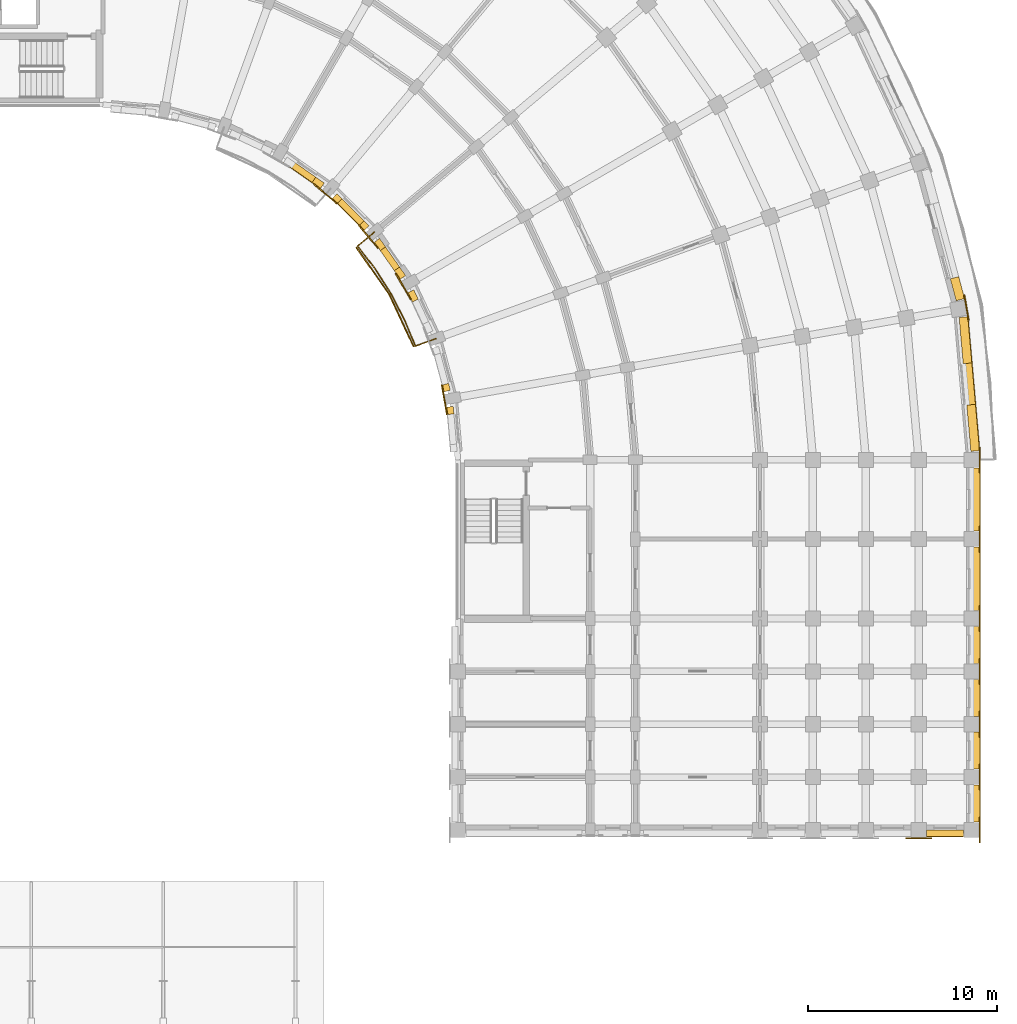
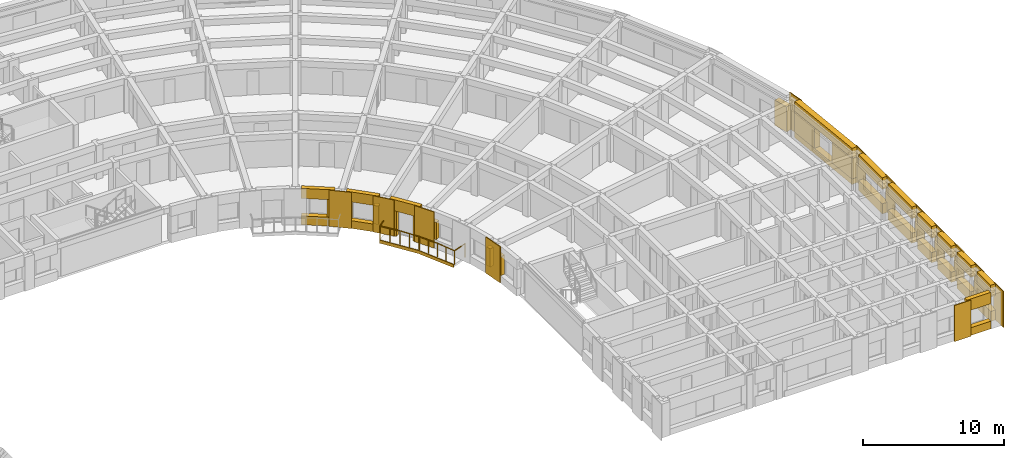
# One storey, part 72 of 76: 46 coverings, 1 railing.
"""IFC4 building model written with IfcOpenShell, lengths in metres."""

import ifcopenshell
import ifcopenshell.guid

model = None  # the IFC model being written
_history = None  # IfcOwnerHistory: only IFC2X3 demands one
_inside = {}  # id of a spatial element -> (the spatial element, [elements in it])
_under = {}  # id of a project, library or spatial element -> (it, [spatial elements below it])
_declared = {}  # id of a project -> (the project, [libraries it declares])
_typed = {}  # id of a type object -> (the type object, [elements of that type])
_made_of = {}  # id of a material, layer set ... -> (it, [elements and type objects made of it])


def new_model(schema):
    """Start an empty IFC model of exactly this schema.

    Asked for "IFC4X3", IfcOpenShell would pick the latest addendum, in which some entities
    have other attributes; the version numbers below select the first issue.
    IFC2X3 requires an IfcOwnerHistory on every rooted entity: one is made here for all.
    """
    global model, _history
    if schema == "IFC4X3":
        model = ifcopenshell.file(schema_version=(4, 3, 0, 0))
    else:
        model = ifcopenshell.file(schema=schema)
    _inside.clear()
    _under.clear()
    _declared.clear()
    _typed.clear()
    _made_of.clear()
    _history = None
    if model.schema == "IFC2X3":
        org = make("IfcOrganization", Name="unknown")
        user = make(
            "IfcPersonAndOrganization",
            ThePerson=make("IfcPerson", FamilyName="unknown"),
            TheOrganization=org,
        )
        app = make(
            "IfcApplication",
            ApplicationDeveloper=org,
            Version="unknown",
            ApplicationFullName="unknown",
            ApplicationIdentifier="unknown",
        )
        _history = make(
            "IfcOwnerHistory",
            OwningUser=user,
            OwningApplication=app,
            ChangeAction="ADDED",
            CreationDate=0,
        )
    return model


def make(cls, **values):
    """One entity of the class cls with the attributes given. An attribute that is None is left unset."""
    return model.create_entity(
        cls, **{name: value for name, value in values.items() if value is not None}
    )


def rooted(cls, **values):
    """An entity with a GlobalId (a new one), such as an element, a storey or a relation."""
    return make(cls, GlobalId=ifcopenshell.guid.new(), OwnerHistory=_history, **values)


def si_unit(unit_type, name, prefix=None):
    """IfcSIUnit, for example si_unit("LENGTHUNIT", "METRE", prefix="MILLI")."""
    return make("IfcSIUnit", UnitType=unit_type, Prefix=prefix, Name=name)


def assignment(units):
    """IfcUnitAssignment: the units of a project."""
    return None if units is None else make("IfcUnitAssignment", Units=units)


def point(xyz):
    """IfcCartesianPoint."""
    return None if xyz is None else make("IfcCartesianPoint", Coordinates=xyz)


def direction(xyz):
    """IfcDirection."""
    return None if xyz is None else make("IfcDirection", DirectionRatios=xyz)


def frame(location, z_axis=None, x_axis=None):
    """IfcAxis2Placement3D, a coordinate frame: its origin and axes. An axis left out is left unset."""
    return make(
        "IfcAxis2Placement3D",
        Location=point(location),
        Axis=direction(z_axis),
        RefDirection=direction(x_axis),
    )


def frame_2d(location, x_axis=None):
    """IfcAxis2Placement2D, a coordinate frame in the plane: its origin and x axis."""
    return make(
        "IfcAxis2Placement2D", Location=point(location), RefDirection=direction(x_axis)
    )


def origin():
    """The frame at (0, 0, 0) with its axes left unset."""
    return frame((0.0, 0.0, 0.0))


def origin_2d():
    """The frame at (0, 0) in the plane with its x axis left unset."""
    return frame_2d((0.0, 0.0))


def place(relative_to, where):
    """IfcLocalPlacement: puts the frame where relative to a parent placement (None: the world)."""
    return make(
        "IfcLocalPlacement", PlacementRelTo=relative_to, RelativePlacement=where
    )


def context(
    kind, dimensions, precision=None, world=None, true_north=None, identifier=None
):
    """IfcGeometricRepresentationContext, for example the 3D "Model" context."""
    return make(
        "IfcGeometricRepresentationContext",
        ContextIdentifier=identifier,
        ContextType=kind,
        CoordinateSpaceDimension=dimensions,
        Precision=precision,
        WorldCoordinateSystem=world,
        TrueNorth=true_north,
    )


def subcontext(parent, identifier, kind, view, scale=None):
    """IfcGeometricRepresentationSubContext, for example "Body" below "Model"."""
    return make(
        "IfcGeometricRepresentationSubContext",
        ContextIdentifier=identifier,
        ContextType=kind,
        ParentContext=parent,
        TargetScale=scale,
        TargetView=view,
    )


def project(units=None, contexts=None):
    """IfcProject with its units and contexts."""
    return rooted(
        "IfcProject",
        Name="project",
        RepresentationContexts=contexts,
        UnitsInContext=assignment(units),
    )


def spatial(cls, under=None, at=None, **own):
    """A site, building, storey or space (cls), placed at a placement, below another one or the project."""
    s = rooted(cls, ObjectPlacement=at, **own)
    if under is not None:
        _under.setdefault(under.id(), (under, []))[1].append(s)
    return s


def polyline(points):
    """IfcPolyline through the points."""
    return make("IfcPolyline", Points=[point(p) for p in points])


def profile(cls, at=None, kind="AREA", **sizes):
    """A parametric profile (cls). Its sizes go by their IFC names, for example OverallWidth=200.0."""
    return make(cls, ProfileType=kind, Position=at, **sizes)


def circle(**sizes):
    """IfcCircleProfileDef."""
    return profile("IfcCircleProfileDef", **sizes)


def outline(outer, holes=None, kind="AREA"):
    """IfcArbitraryClosedProfileDef: a profile drawn as a closed curve; with holes, ...WithVoids."""
    if holes is None:
        return make("IfcArbitraryClosedProfileDef", ProfileType=kind, OuterCurve=outer)
    return make(
        "IfcArbitraryProfileDefWithVoids",
        ProfileType=kind,
        OuterCurve=outer,
        InnerCurves=holes,
    )


def extrude(swept, where, along, depth):
    """IfcExtrudedAreaSolid: the profile swept, set in the frame where, extruded along a direction by depth."""
    return make(
        "IfcExtrudedAreaSolid",
        SweptArea=swept,
        Position=where,
        ExtrudedDirection=direction(along),
        Depth=depth,
    )


def shape(context_of_items, identifier, shape_type, items):
    """IfcShapeRepresentation: the items that make up one representation, for example the "Body"."""
    return make(
        "IfcShapeRepresentation",
        ContextOfItems=context_of_items,
        RepresentationIdentifier=identifier,
        RepresentationType=shape_type,
        Items=items,
    )


def material(Name=None, Category=None):
    """IfcMaterial."""
    return make("IfcMaterial", Name=Name, Category=Category)


def layer(
    of_material, thickness, ventilated=None, Name=None, Category=None, Priority=None
):
    """IfcMaterialLayer: one layer of a wall or slab, of a material (None: an air gap)."""
    return make(
        "IfcMaterialLayer",
        Material=of_material,
        LayerThickness=thickness,
        IsVentilated=ventilated,
        Name=Name,
        Category=Category,
        Priority=Priority,
    )


def layer_set(layers, Name=None):
    """IfcMaterialLayerSet."""
    return make("IfcMaterialLayerSet", MaterialLayers=layers, LayerSetName=Name)


def made_of(thing, what):
    """Note that an element or type object is made of a material, layer set ...; save() writes the relation."""
    if what is not None:
        _made_of.setdefault(what.id(), (what, []))[1].append(thing)
    return thing


def type_object(cls, material=None, **own):
    """A type object (cls), such as IfcWallType, which elements share."""
    return made_of(rooted(cls, **own), material)


def element(
    cls,
    number,
    at=None,
    inside=None,
    cuts=None,
    type_object=None,
    material=None,
    context=None,
    identifier="Body",
    shape_type=None,
    held_by="IfcProductDefinitionShape",
    body=None,
    shapes=None,
    **own,
):
    """One element of the class cls, such as IfcWall. Its Tag is "e" and its number.

    at: its placement. inside: the storey or other place that contains it. cuts: it is an
    opening in that element (IfcRelVoidsElement). A single representation is given by context,
    identifier, shape_type and body (its items); several are given by shapes. held_by: the class
    of the entity that holds the representations. save() writes the other relations.
    """
    e = rooted(cls, Tag="e%d" % number, ObjectPlacement=at, **own)
    if body is not None:
        shapes = [shape(context, identifier, shape_type, body)]
    if shapes is not None:
        e.Representation = make(held_by, Representations=shapes)
    if inside is not None:
        _inside.setdefault(inside.id(), (inside, []))[1].append(e)
    if cuts is not None:
        rooted(
            "IfcRelVoidsElement", RelatingBuildingElement=cuts, RelatedOpeningElement=e
        )
    if type_object is not None:
        _typed.setdefault(type_object.id(), (type_object, []))[1].append(e)
    return made_of(e, material)


def aggregate(whole, parts):
    """IfcRelAggregates: a whole, such as a stair, and the parts it consists of."""
    return rooted("IfcRelAggregates", RelatingObject=whole, RelatedObjects=parts)


def save(model, path):
    """Write the relations noted so far, then the file.

    IfcRelAggregates (storeys below a building ...), IfcRelContainedInSpatialStructure (elements
    in a storey), IfcRelDefinesByType, IfcRelAssociatesMaterial and IfcRelDeclares: one each for
    every whole, place, type object, material and project.
    """
    for whole, parts in _under.values():
        aggregate(whole, parts)
    for where, things in _inside.values():
        rooted(
            "IfcRelContainedInSpatialStructure",
            RelatedElements=things,
            RelatingStructure=where,
        )
    for kind, things in _typed.values():
        rooted("IfcRelDefinesByType", RelatedObjects=things, RelatingType=kind)
    for what, things in _made_of.values():
        rooted("IfcRelAssociatesMaterial", RelatedObjects=things, RelatingMaterial=what)
    for by, libraries in _declared.values():
        rooted("IfcRelDeclares", RelatingContext=by, RelatedDefinitions=libraries)
    model.write(path)


model = new_model("IFC4")

# Units and contexts
model_context = context("Model", 3, precision=1e-05, world=origin(), true_north=direction((0.0, 1.0)))
body_context = subcontext(model_context, "Body", "Model", "MODEL_VIEW")
ifc_project = project(units=[si_unit("LENGTHUNIT", "METRE"), si_unit("AREAUNIT", "SQUARE_METRE"), si_unit("VOLUMEUNIT", "CUBIC_METRE"), si_unit("PLANEANGLEUNIT", "RADIAN"), si_unit("MASSUNIT", "GRAM", prefix="KILO")], contexts=[model_context])

# Site, building, storey
site_placement = place(None, origin())
site = spatial("IfcSite", under=ifc_project, at=site_placement, CompositionType="ELEMENT")
building_placement = place(site_placement, origin())
building = spatial("IfcBuilding", under=site, at=building_placement, Name="Kiranvali Square Residences", CompositionType="ELEMENT")
storey_placement = place(building_placement, frame((0.0, 0.0, 8.699951171875)))
storey = spatial("IfcBuildingStorey", under=building, at=storey_placement, Name="L02", CompositionType="ELEMENT", Elevation=8.699951171875)

# Coverings
ifc_material_1 = material(Name="Carved Porbandar limestone classical entablature and cornice", Category="masonry")
ifc_layer_1 = layer(ifc_material_1, 0.06201171875)
ifc_layer_set_1 = layer_set([ifc_layer_1], Name="Carved Porbandar limestone classical entablature and cornice")
covering_type_1 = type_object("IfcCoveringType", Name="COV-CLAD-GBAL", PredefinedType="CLADDING", material=ifc_layer_set_1)
covering_1_placement = place(storey_placement, frame((0.0, 0.0, -0.219970703125)))
element("IfcCovering", 1, at=covering_1_placement, inside=storey, type_object=covering_type_1, Name="Block B L02 garden balcony limestone fascia 2", PredefinedType="CLADDING", context=body_context, shape_type="SweptSolid", body=[
    extrude(outline(polyline([(133.1904296875, 99.035888671875), (134.938232421875, 96.5400390625), (136.225830078125, 93.778564453125), (136.289794921875, 93.8017578125), (134.9970703125, 96.573974609375), (133.242431640625, 99.07958984375), (133.1904296875, 99.035888671875)])), origin(), (0.0, 0.0, 1.0), 0.27001953125),
])
ifc_material_2 = material(Name="Honed Porbandar limestone ashlar facade cladding", Category="masonry")
ifc_layer_2 = layer(ifc_material_2, 0.3798828125)
ifc_layer_set_2 = layer_set([ifc_layer_2], Name="Honed Porbandar limestone ashlar facade cladding")
covering_type_2 = type_object("IfcCoveringType", Name="COV-CLAD-JAMB", PredefinedType="CLADDING", material=ifc_layer_set_2)
covering_2_placement = place(storey_placement, origin())
element("IfcCovering", 2, at=covering_2_placement, inside=storey, type_object=covering_type_2, Name="L02 deep limestone window jamb reveal B-L02-CRV-07.R", PredefinedType="CLADDING", context=body_context, shape_type="SweptSolid", body=[
    extrude(outline(polyline([(164.67431640625, 97.382568359375), (164.985107421875, 96.22265625), (165.428955078125, 96.341552734375), (165.1181640625, 97.50146484375), (164.67431640625, 97.382568359375)])), origin(), (0.0, 0.0, 1.0), 2.179931640625),
])
covering_3_placement = place(storey_placement, frame((0.0, 0.0, 0.47216796875)))
element("IfcCovering", 3, at=covering_3_placement, inside=storey, type_object=covering_type_2, Name="L02 deep limestone window jamb reveal B-L02-CRV-08.L", PredefinedType="CLADDING", context=body_context, shape_type="SweptSolid", body=[
    extrude(outline(polyline([(165.140869140625, 95.339599609375), (165.355224609375, 92.8896484375), (165.81298828125, 92.929931640625), (165.5986328125, 95.379638671875), (165.140869140625, 95.339599609375)])), origin(), (0.0, 0.0, 1.0), 1.7998046875),
])
covering_4_placement = place(storey_placement, frame((0.0, 0.0, 0.47216796875)))
element("IfcCovering", 4, at=covering_4_placement, inside=storey, type_object=covering_type_2, Name="L02 deep limestone window jamb reveal B-L02-CRV-08.R", PredefinedType="CLADDING", context=body_context, shape_type="SweptSolid", body=[
    extrude(outline(polyline([(165.546875, 90.6982421875), (165.76123046875, 88.248291015625), (166.218994140625, 88.288330078125), (166.004638671875, 90.73828125), (165.546875, 90.6982421875)])), origin(), (0.0, 0.0, 1.0), 1.7998046875),
])
covering_5_placement = place(storey_placement, frame((0.0, 0.0, 0.77197265625)))
element("IfcCovering", 5, at=covering_5_placement, inside=storey, type_object=covering_type_2, Name="L02 deep limestone window jamb reveal B-L02-GDN-03.R", PredefinedType="CLADDING", context=body_context, shape_type="SweptSolid", body=[
    extrude(outline(polyline([(130.879638671875, 102.490234375), (131.328857421875, 102.175537109375), (131.523681640625, 102.45361328125), (131.074462890625, 102.768310546875), (130.879638671875, 102.490234375)])), origin(), (0.0, 0.0, 1.0), 1.5),
])
covering_6_placement = place(storey_placement, frame((0.0, 0.0, 0.672119140625)))
element("IfcCovering", 6, at=covering_6_placement, inside=storey, type_object=covering_type_2, Name="L02 deep limestone window jamb reveal B-L02-GDN-04.L", PredefinedType="CLADDING", context=body_context, shape_type="SweptSolid", body=[
    extrude(outline(polyline([(131.955078125, 101.650146484375), (132.21923828125, 101.385986328125), (132.459228515625, 101.6259765625), (132.195068359375, 101.89013671875), (131.955078125, 101.650146484375)])), origin(), (0.0, 0.0, 1.0), 1.599853515625),
])
covering_7_placement = place(storey_placement, frame((0.0, 0.0, 0.672119140625)))
element("IfcCovering", 7, at=covering_7_placement, inside=storey, type_object=covering_type_2, Name="L02 deep limestone window jamb reveal B-L02-GDN-04.R", PredefinedType="CLADDING", context=body_context, shape_type="SweptSolid", body=[
    extrude(outline(polyline([(133.385986328125, 100.21923828125), (133.650146484375, 99.955078125), (133.89013671875, 100.195068359375), (133.6259765625, 100.459228515625), (133.385986328125, 100.21923828125)])), origin(), (0.0, 0.0, 1.0), 1.599853515625),
])
covering_8_placement = place(storey_placement, origin())
element("IfcCovering", 8, at=covering_8_placement, inside=storey, type_object=covering_type_2, Name="L02 deep limestone window jamb reveal B-L02-GDN-05.L", PredefinedType="CLADDING", context=body_context, shape_type="SweptSolid", body=[
    extrude(outline(polyline([(134.175537109375, 99.328857421875), (134.490234375, 98.879638671875), (134.768310546875, 99.074462890625), (134.45361328125, 99.523681640625), (134.175537109375, 99.328857421875)])), origin(), (0.0, 0.0, 1.0), 2.179931640625),
])
covering_9_placement = place(storey_placement, origin())
element("IfcCovering", 9, at=covering_9_placement, inside=storey, type_object=covering_type_2, Name="L02 deep limestone window jamb reveal B-L02-GDN-05.R", PredefinedType="CLADDING", context=body_context, shape_type="SweptSolid", body=[
    extrude(outline(polyline([(135.23583984375, 97.814697265625), (135.55029296875, 97.365478515625), (135.828369140625, 97.56005859375), (135.513916015625, 98.009521484375), (135.23583984375, 97.814697265625)])), origin(), (0.0, 0.0, 1.0), 2.179931640625),
])
covering_10_placement = place(storey_placement, frame((0.0, 0.0, 0.77197265625)))
element("IfcCovering", 10, at=covering_10_placement, inside=storey, type_object=covering_type_2, Name="L02 deep limestone window jamb reveal B-L02-GDN-06.L", PredefinedType="CLADDING", context=body_context, shape_type="SweptSolid", body=[
    extrude(outline(polyline([(135.958984375, 96.657470703125), (136.19091796875, 96.160400390625), (136.49853515625, 96.303955078125), (136.266845703125, 96.801025390625), (135.958984375, 96.657470703125)])), origin(), (0.0, 0.0, 1.0), 1.5),
])
covering_11_placement = place(storey_placement, frame((0.0, 0.0, 0.672119140625)))
element("IfcCovering", 11, at=covering_11_placement, inside=storey, type_object=covering_type_2, Name="L02 deep limestone window jamb reveal B-L02-GDN-07.R", PredefinedType="CLADDING", context=body_context, shape_type="SweptSolid", body=[
    extrude(outline(polyline([(137.775390625, 91.762451171875), (137.8720703125, 91.401611328125), (138.199951171875, 91.489501953125), (138.103271484375, 91.850341796875), (137.775390625, 91.762451171875)])), origin(), (0.0, 0.0, 1.0), 1.599853515625),
])
covering_12_placement = place(storey_placement, frame((0.0, 0.0, 0.6220703125)))
element("IfcCovering", 12, at=covering_12_placement, inside=storey, type_object=covering_type_2, Name="L02 deep limestone window jamb reveal B-L02-GDN-08.L", PredefinedType="CLADDING", context=body_context, shape_type="SweptSolid", body=[
    extrude(outline(polyline([(138.013916015625, 90.5966796875), (138.048828125, 90.19970703125), (138.386962890625, 90.229248046875), (138.352294921875, 90.626220703125), (138.013916015625, 90.5966796875)])), origin(), (0.0, 0.0, 1.0), 1.64990234375),
])
ifc_layer_3 = layer(ifc_material_2, 0.06494140625)
ifc_layer_set_3 = layer_set([ifc_layer_3], Name="Honed Porbandar limestone ashlar facade cladding")
covering_type_3 = type_object("IfcCoveringType", Name="COV-CLAD-PIER", PredefinedType="CLADDING", material=ifc_layer_set_3)
covering_13_placement = place(storey_placement, frame((0.0, 0.0, 0.005126953125)))
element("IfcCovering", 13, at=covering_13_placement, inside=storey, type_object=covering_type_3, Name="L02 Classical limestone corner pilaster CLAD-PR-B-L02-A08", PredefinedType="CLADDING", context=body_context, shape_type="SweptSolid", body=[
    extrude(outline(polyline([(165.68017578125, 95.199462890625), (165.444091796875, 96.538818359375), (165.37744140625, 96.527099609375), (165.61376953125, 95.187744140625), (165.68017578125, 95.199462890625)])), origin(), (0.0, 0.0, 1.0), 3.139892578125),
])
covering_14_placement = place(storey_placement, frame((0.0, 0.0, 0.005126953125)))
element("IfcCovering", 14, at=covering_14_placement, inside=storey, type_object=covering_type_3, Name="L02 Classical limestone corner pilaster CLAD-PR-B-L02-A09", PredefinedType="CLADDING", context=body_context, shape_type="SweptSolid", body=[
    extrude(outline(polyline([(166.26806640625, 87.1201171875), (166.26806640625, 88.47998046875), (166.200439453125, 88.47998046875), (166.200439453125, 87.1201171875), (166.26806640625, 87.1201171875)])), origin(), (0.0, 0.0, 1.0), 3.139892578125),
])
covering_15_placement = place(storey_placement, frame((0.0, 0.0, 0.005126953125)))
element("IfcCovering", 15, at=covering_15_placement, inside=storey, type_object=covering_type_3, Name="L02 Classical limestone pilaster casing CLAD-PR-B-L02-V42", PredefinedType="CLADDING", context=body_context, shape_type="SweptSolid", body=[
    extrude(outline(polyline([(166.200439453125, 84.280029296875), (166.200439453125, 82.919921875), (166.26806640625, 82.919921875), (166.26806640625, 84.280029296875), (166.200439453125, 84.280029296875)])), origin(), (0.0, 0.0, 1.0), 3.139892578125),
])
covering_16_placement = place(storey_placement, frame((0.0, 0.0, 0.005126953125)))
element("IfcCovering", 16, at=covering_16_placement, inside=storey, type_object=covering_type_3, Name="L02 Classical limestone pilaster casing CLAD-PR-B-L02-V84", PredefinedType="CLADDING", context=body_context, shape_type="SweptSolid", body=[
    extrude(outline(polyline([(166.200439453125, 80.080078125), (166.200439453125, 78.719970703125), (166.26806640625, 78.719970703125), (166.26806640625, 80.080078125), (166.200439453125, 80.080078125)])), origin(), (0.0, 0.0, 1.0), 3.139892578125),
])
covering_17_placement = place(storey_placement, frame((0.0, 0.0, 0.005126953125)))
element("IfcCovering", 17, at=covering_17_placement, inside=storey, type_object=covering_type_3, Name="L02 Classical limestone pilaster casing CLAD-PR-B-L02-V112", PredefinedType="CLADDING", context=body_context, shape_type="SweptSolid", body=[
    extrude(outline(polyline([(166.200439453125, 77.280029296875), (166.200439453125, 75.919921875), (166.26806640625, 75.919921875), (166.26806640625, 77.280029296875), (166.200439453125, 77.280029296875)])), origin(), (0.0, 0.0, 1.0), 3.139892578125),
])
covering_18_placement = place(storey_placement, frame((0.0, 0.0, 0.005126953125)))
element("IfcCovering", 18, at=covering_18_placement, inside=storey, type_object=covering_type_3, Name="L02 Classical limestone pilaster casing CLAD-PR-B-L02-V140", PredefinedType="CLADDING", context=body_context, shape_type="SweptSolid", body=[
    extrude(outline(polyline([(166.200439453125, 74.47998046875), (166.200439453125, 73.1201171875), (166.26806640625, 73.1201171875), (166.26806640625, 74.47998046875), (166.200439453125, 74.47998046875)])), origin(), (0.0, 0.0, 1.0), 3.139892578125),
])
covering_19_placement = place(storey_placement, frame((0.0, 0.0, 0.005126953125)))
element("IfcCovering", 19, at=covering_19_placement, inside=storey, type_object=covering_type_3, Name="L02 Classical limestone pilaster casing CLAD-PR-B-L02-V167", PredefinedType="CLADDING", context=body_context, shape_type="SweptSolid", body=[
    extrude(outline(polyline([(166.200439453125, 71.679931640625), (166.200439453125, 70.320068359375), (166.26806640625, 70.320068359375), (166.26806640625, 71.679931640625), (166.200439453125, 71.679931640625)])), origin(), (0.0, 0.0, 1.0), 3.139892578125),
])
covering_20_placement = place(storey_placement, frame((0.0, 0.0, 0.005126953125)))
element("IfcCovering", 20, at=covering_20_placement, inside=storey, type_object=covering_type_3, Name="L02 Classical limestone pilaster casing CLAD-PR-B-L02-V196", PredefinedType="CLADDING", context=body_context, shape_type="SweptSolid", body=[
    extrude(outline(polyline([(166.200439453125, 68.8798828125), (166.200439453125, 67.52001953125), (166.26806640625, 67.52001953125), (166.26806640625, 68.8798828125), (166.200439453125, 68.8798828125)])), origin(), (0.0, 0.0, 1.0), 3.139892578125),
])
ifc_layer_4 = layer(ifc_material_2, 0.050048828125)
ifc_layer_set_4 = layer_set([ifc_layer_4], Name="Honed Porbandar limestone ashlar facade cladding")
covering_type_4 = type_object("IfcCoveringType", Name="COV-CLAD-PIER-IN", PredefinedType="CLADDING", material=ifc_layer_set_4)
covering_21_placement = place(storey_placement, frame((0.0, 0.0, 0.005126953125)))
element("IfcCovering", 21, at=covering_21_placement, inside=storey, type_object=covering_type_4, Name="L02 Classical garden courtyard pilaster CLAD-PRIN-B-L02-A04", PredefinedType="CLADDING", context=body_context, shape_type="SweptSolid", body=[
    extrude(outline(polyline([(130.970703125, 102.357421875), (132.196533203125, 101.328857421875), (132.23974609375, 101.380615234375), (131.01416015625, 102.4091796875), (130.970703125, 102.357421875)])), origin(), (0.0, 0.0, 1.0), 3.139892578125),
])
covering_22_placement = place(storey_placement, frame((0.0, 0.0, 0.005126953125)))
element("IfcCovering", 22, at=covering_22_placement, inside=storey, type_object=covering_type_4, Name="L02 Classical garden courtyard pilaster CLAD-PRIN-B-L02-A05", PredefinedType="CLADDING", context=body_context, shape_type="SweptSolid", body=[
    extrude(outline(polyline([(133.328857421875, 100.196533203125), (134.357421875, 98.970703125), (134.4091796875, 99.01416015625), (133.380615234375, 100.23974609375), (133.328857421875, 100.196533203125)])), origin(), (0.0, 0.0, 1.0), 3.139892578125),
])
covering_23_placement = place(storey_placement, frame((0.0, 0.0, 0.005126953125)))
element("IfcCovering", 23, at=covering_23_placement, inside=storey, type_object=covering_type_4, Name="L02 Classical garden courtyard pilaster CLAD-PRIN-B-L02-A06", PredefinedType="CLADDING", context=body_context, shape_type="SweptSolid", body=[
    extrude(outline(polyline([(135.27587890625, 97.658935546875), (136.075927734375, 96.273193359375), (136.134521484375, 96.306884765625), (135.33447265625, 97.692626953125), (135.27587890625, 97.658935546875)])), origin(), (0.0, 0.0, 1.0), 3.139892578125),
])
covering_24_placement = place(storey_placement, frame((0.0, 0.0, 0.005126953125)))
element("IfcCovering", 24, at=covering_24_placement, inside=storey, type_object=covering_type_4, Name="L02 Classical garden courtyard pilaster CLAD-PRIN-B-L02-A08", PredefinedType="CLADDING", context=body_context, shape_type="SweptSolid", body=[
    extrude(outline(polyline([(137.714599609375, 91.771240234375), (137.992431640625, 90.195556640625), (138.058837890625, 90.207275390625), (137.781005859375, 91.782958984375), (137.714599609375, 91.771240234375)])), origin(), (0.0, 0.0, 1.0), 3.139892578125),
])
ifc_layer_5 = layer(ifc_material_2, 0.054931640625)
ifc_layer_set_5 = layer_set([ifc_layer_5], Name="Honed Porbandar limestone ashlar facade cladding")
covering_type_5 = type_object("IfcCoveringType", Name="COV-CLAD-PIER-UP", PredefinedType="CLADDING", material=ifc_layer_set_5)
covering_25_placement = place(storey_placement, frame((0.0, 0.0, 0.005126953125)))
element("IfcCovering", 25, at=covering_25_placement, inside=storey, type_object=covering_type_5, Name="L02 Classical limestone pilaster casing CLAD-PRA2E-B-L02-R432", PredefinedType="CLADDING", context=body_context, shape_type="SweptSolid", body=[
    extrude(outline(polyline([(162.320068359375, 67.73193359375), (163.679931640625, 67.73193359375), (163.679931640625, 67.799560546875), (162.320068359375, 67.799560546875), (162.320068359375, 67.73193359375)])), origin(), (0.0, 0.0, 1.0), 3.139892578125),
])
ifc_layer_6 = layer(ifc_material_2, 0.360107421875)
ifc_layer_set_6 = layer_set([ifc_layer_6], Name="Honed Porbandar limestone ashlar facade cladding")
covering_type_6 = type_object("IfcCoveringType", Name="COV-CLAD-WALL", PredefinedType="CLADDING", material=ifc_layer_set_6)
covering_26_placement = place(storey_placement, frame((0.0, 0.0, 2.27197265625)))
element("IfcCovering", 26, at=covering_26_placement, inside=storey, type_object=covering_type_6, Name="L02 light limestone spandrel lintel B-L02-CRV-08", PredefinedType="CLADDING", context=body_context, shape_type="SweptSolid", body=[
    extrude(outline(polyline([(165.140869140625, 95.339599609375), (165.76123046875, 88.248291015625), (166.218994140625, 88.288330078125), (165.5986328125, 95.379638671875), (165.140869140625, 95.339599609375)])), origin(), (0.0, 0.0, 1.0), 0.873046875),
])
covering_27_placement = place(storey_placement, frame((0.0, 0.0, 0.005126953125)))
element("IfcCovering", 27, at=covering_27_placement, inside=storey, type_object=covering_type_6, Name="L02 limestone window sill apron B-L02-CRV-08", PredefinedType="CLADDING", context=body_context, shape_type="SweptSolid", body=[
    extrude(outline(polyline([(165.140869140625, 95.339599609375), (165.76123046875, 88.248291015625), (166.2490234375, 88.291015625), (165.62841796875, 95.38232421875), (165.140869140625, 95.339599609375)])), origin(), (0.0, 0.0, 1.0), 0.467041015625),
])
covering_28_placement = place(storey_placement, frame((0.0, 0.0, 2.27197265625)))
element("IfcCovering", 28, at=covering_28_placement, inside=storey, type_object=covering_type_6, Name="L02 light limestone spandrel lintel B-L02-GDN-03", PredefinedType="CLADDING", context=body_context, shape_type="SweptSolid", body=[
    extrude(outline(polyline([(129.365478515625, 103.55029296875), (131.328857421875, 102.175537109375), (131.523681640625, 102.45361328125), (129.56005859375, 103.828369140625), (129.365478515625, 103.55029296875)])), origin(), (0.0, 0.0, 1.0), 0.873046875),
])
covering_29_placement = place(storey_placement, frame((0.0, 0.0, 2.27197265625)))
element("IfcCovering", 29, at=covering_29_placement, inside=storey, type_object=covering_type_6, Name="L02 light limestone spandrel lintel B-L02-GDN-04", PredefinedType="CLADDING", context=body_context, shape_type="SweptSolid", body=[
    extrude(outline(polyline([(131.955078125, 101.650146484375), (133.650146484375, 99.955078125), (133.89013671875, 100.195068359375), (132.195068359375, 101.89013671875), (131.955078125, 101.650146484375)])), origin(), (0.0, 0.0, 1.0), 0.873046875),
])
covering_30_placement = place(storey_placement, frame((0.0, 0.0, 2.179931640625)))
element("IfcCovering", 30, at=covering_30_placement, inside=storey, type_object=covering_type_6, Name="L02 light limestone spandrel lintel B-L02-GDN-05", PredefinedType="CLADDING", context=body_context, shape_type="SweptSolid", body=[
    extrude(outline(polyline([(134.175537109375, 99.328857421875), (135.55029296875, 97.365478515625), (135.828369140625, 97.56005859375), (134.45361328125, 99.523681640625), (134.175537109375, 99.328857421875)])), origin(), (0.0, 0.0, 1.0), 0.965087890625),
])
covering_31_placement = place(storey_placement, frame((0.0, 0.0, 2.130126953125)))
element("IfcCovering", 31, at=covering_31_placement, inside=storey, type_object=covering_type_6, Name="L02 light limestone spandrel lintel B-L02-A2O-0", PredefinedType="CLADDING", context=body_context, shape_type="SweptSolid", body=[
    extrude(outline(polyline([(165.800537109375, 87.3798828125), (165.800537109375, 84.02001953125), (166.25, 84.02001953125), (166.25, 87.3798828125), (165.800537109375, 87.3798828125)])), origin(), (0.0, 0.0, 1.0), 1.014892578125),
])
covering_32_placement = place(storey_placement, frame((0.0, 0.0, 0.005126953125)))
element("IfcCovering", 32, at=covering_32_placement, inside=storey, type_object=covering_type_6, Name="L02 limestone window sill apron B-L02-A2O-0", PredefinedType="CLADDING", context=body_context, shape_type="SweptSolid", body=[
    extrude(outline(polyline([(165.800537109375, 87.3798828125), (165.800537109375, 84.02001953125), (166.280029296875, 84.02001953125), (166.280029296875, 87.3798828125), (165.800537109375, 87.3798828125)])), origin(), (0.0, 0.0, 1.0), 0.875),
])
covering_33_placement = place(storey_placement, frame((0.0, 0.0, 2.130126953125)))
element("IfcCovering", 33, at=covering_33_placement, inside=storey, type_object=covering_type_6, Name="L02 light limestone spandrel lintel B-L02-A2O-1", PredefinedType="CLADDING", context=body_context, shape_type="SweptSolid", body=[
    extrude(outline(polyline([(165.800537109375, 83.179931640625), (165.800537109375, 79.820068359375), (166.25, 79.820068359375), (166.25, 83.179931640625), (165.800537109375, 83.179931640625)])), origin(), (0.0, 0.0, 1.0), 1.014892578125),
])
covering_34_placement = place(storey_placement, frame((0.0, 0.0, 0.005126953125)))
element("IfcCovering", 34, at=covering_34_placement, inside=storey, type_object=covering_type_6, Name="L02 limestone window sill apron B-L02-A2O-1", PredefinedType="CLADDING", context=body_context, shape_type="SweptSolid", body=[
    extrude(outline(polyline([(165.800537109375, 83.179931640625), (165.800537109375, 79.820068359375), (166.280029296875, 79.820068359375), (166.280029296875, 83.179931640625), (165.800537109375, 83.179931640625)])), origin(), (0.0, 0.0, 1.0), 0.875),
])
covering_35_placement = place(storey_placement, frame((0.0, 0.0, 2.130126953125)))
element("IfcCovering", 35, at=covering_35_placement, inside=storey, type_object=covering_type_6, Name="L02 light limestone spandrel lintel B-L02-A2O-2", PredefinedType="CLADDING", context=body_context, shape_type="SweptSolid", body=[
    extrude(outline(polyline([(165.800537109375, 78.97998046875), (165.800537109375, 77.02001953125), (166.25, 77.02001953125), (166.25, 78.97998046875), (165.800537109375, 78.97998046875)])), origin(), (0.0, 0.0, 1.0), 1.014892578125),
])
covering_36_placement = place(storey_placement, frame((0.0, 0.0, 0.005126953125)))
element("IfcCovering", 36, at=covering_36_placement, inside=storey, type_object=covering_type_6, Name="L02 limestone window sill apron B-L02-A2O-2", PredefinedType="CLADDING", context=body_context, shape_type="SweptSolid", body=[
    extrude(outline(polyline([(165.800537109375, 78.97998046875), (165.800537109375, 77.02001953125), (166.280029296875, 77.02001953125), (166.280029296875, 78.97998046875), (165.800537109375, 78.97998046875)])), origin(), (0.0, 0.0, 1.0), 0.875),
])
covering_37_placement = place(storey_placement, frame((0.0, 0.0, 2.130126953125)))
element("IfcCovering", 37, at=covering_37_placement, inside=storey, type_object=covering_type_6, Name="L02 light limestone spandrel lintel B-L02-A2O-3", PredefinedType="CLADDING", context=body_context, shape_type="SweptSolid", body=[
    extrude(outline(polyline([(165.800537109375, 76.179931640625), (165.800537109375, 74.219970703125), (166.25, 74.219970703125), (166.25, 76.179931640625), (165.800537109375, 76.179931640625)])), origin(), (0.0, 0.0, 1.0), 1.014892578125),
])
covering_38_placement = place(storey_placement, frame((0.0, 0.0, 0.005126953125)))
element("IfcCovering", 38, at=covering_38_placement, inside=storey, type_object=covering_type_6, Name="L02 limestone window sill apron B-L02-A2O-3", PredefinedType="CLADDING", context=body_context, shape_type="SweptSolid", body=[
    extrude(outline(polyline([(165.800537109375, 76.179931640625), (165.800537109375, 74.219970703125), (166.280029296875, 74.219970703125), (166.280029296875, 76.179931640625), (165.800537109375, 76.179931640625)])), origin(), (0.0, 0.0, 1.0), 0.875),
])
covering_39_placement = place(storey_placement, frame((0.0, 0.0, 2.130126953125)))
element("IfcCovering", 39, at=covering_39_placement, inside=storey, type_object=covering_type_6, Name="L02 light limestone spandrel lintel B-L02-A2O-4", PredefinedType="CLADDING", context=body_context, shape_type="SweptSolid", body=[
    extrude(outline(polyline([(165.800537109375, 73.3798828125), (165.800537109375, 71.419921875), (166.25, 71.419921875), (166.25, 73.3798828125), (165.800537109375, 73.3798828125)])), origin(), (0.0, 0.0, 1.0), 1.014892578125),
])
covering_40_placement = place(storey_placement, frame((0.0, 0.0, 0.005126953125)))
element("IfcCovering", 40, at=covering_40_placement, inside=storey, type_object=covering_type_6, Name="L02 limestone window sill apron B-L02-A2O-4", PredefinedType="CLADDING", context=body_context, shape_type="SweptSolid", body=[
    extrude(outline(polyline([(165.800537109375, 73.3798828125), (165.800537109375, 71.419921875), (166.280029296875, 71.419921875), (166.280029296875, 73.3798828125), (165.800537109375, 73.3798828125)])), origin(), (0.0, 0.0, 1.0), 0.875),
])
covering_41_placement = place(storey_placement, frame((0.0, 0.0, 2.130126953125)))
element("IfcCovering", 41, at=covering_41_placement, inside=storey, type_object=covering_type_6, Name="L02 light limestone spandrel lintel B-L02-A2O-5", PredefinedType="CLADDING", context=body_context, shape_type="SweptSolid", body=[
    extrude(outline(polyline([(165.800537109375, 70.580078125), (165.800537109375, 68.6201171875), (166.25, 68.6201171875), (166.25, 70.580078125), (165.800537109375, 70.580078125)])), origin(), (0.0, 0.0, 1.0), 1.014892578125),
])
covering_42_placement = place(storey_placement, frame((0.0, 0.0, 0.005126953125)))
element("IfcCovering", 42, at=covering_42_placement, inside=storey, type_object=covering_type_6, Name="L02 limestone window sill apron B-L02-A2O-5", PredefinedType="CLADDING", context=body_context, shape_type="SweptSolid", body=[
    extrude(outline(polyline([(165.800537109375, 70.580078125), (165.800537109375, 68.6201171875), (166.280029296875, 68.6201171875), (166.280029296875, 70.580078125), (165.800537109375, 70.580078125)])), origin(), (0.0, 0.0, 1.0), 0.875),
])
covering_43_placement = place(storey_placement, frame((0.0, 0.0, 2.172119140625)))
element("IfcCovering", 43, at=covering_43_placement, inside=storey, type_object=covering_type_6, Name="L02 light limestone spandrel lintel B-L02-A2END-6", PredefinedType="CLADDING", context=body_context, shape_type="SweptSolid", body=[
    extrude(outline(polyline([(163.419921875, 67.860107421875), (165.3798828125, 67.860107421875), (165.3798828125, 68.199462890625), (163.419921875, 68.199462890625), (163.419921875, 67.860107421875)])), origin(), (0.0, 0.0, 1.0), 0.972900390625),
])
covering_44_placement = place(storey_placement, frame((0.0, 0.0, 0.005126953125)))
element("IfcCovering", 44, at=covering_44_placement, inside=storey, type_object=covering_type_6, Name="L02 limestone window sill apron B-L02-A2END-6", PredefinedType="CLADDING", context=body_context, shape_type="SweptSolid", body=[
    extrude(outline(polyline([(163.419921875, 67.830078125), (165.3798828125, 67.830078125), (165.3798828125, 68.199462890625), (163.419921875, 68.199462890625), (163.419921875, 67.830078125)])), origin(), (0.0, 0.0, 1.0), 0.6669921875),
])
ifc_layer_7 = layer(ifc_material_2, 0.2900390625)
ifc_layer_set_7 = layer_set([ifc_layer_7], Name="Honed Porbandar limestone ashlar facade cladding")
covering_type_7 = type_object("IfcCoveringType", Name="COV-CLAD-WALL-IN", PredefinedType="CLADDING", material=ifc_layer_set_7)
covering_45_placement = place(storey_placement, frame((0.0, 0.0, 0.005126953125)))
element("IfcCovering", 45, at=covering_45_placement, inside=storey, type_object=covering_type_7, Name="L02 limestone window sill apron B-L02-GDN-03", PredefinedType="CLADDING", context=body_context, shape_type="SweptSolid", body=[
    extrude(outline(polyline([(129.34814453125, 103.52587890625), (131.311767578125, 102.15087890625), (131.523681640625, 102.45361328125), (129.56005859375, 103.828369140625), (129.34814453125, 103.52587890625)])), origin(), (0.0, 0.0, 1.0), 0.766845703125),
])
covering_46_placement = place(storey_placement, frame((0.0, 0.0, 0.005126953125)))
element("IfcCovering", 46, at=covering_46_placement, inside=storey, type_object=covering_type_7, Name="L02 limestone window sill apron B-L02-GDN-04", PredefinedType="CLADDING", context=body_context, shape_type="SweptSolid", body=[
    extrude(outline(polyline([(131.933837890625, 101.62890625), (133.62890625, 99.933837890625), (133.89013671875, 100.195068359375), (132.195068359375, 101.89013671875), (131.933837890625, 101.62890625)])), origin(), (0.0, 0.0, 1.0), 0.6669921875),
])

# Railing
ifc_material_3 = material(Name="Powder-coated architectural bronze balustrade", Category="steel")
railing_type = type_object("IfcRailingType", Name="RL-BAL-GOLD-1200", PredefinedType="BALUSTRADE", material=ifc_material_3)
railing_placement = place(storey_placement, frame((134.1708984375, 99.858642578125, 0.0)))
element("IfcRailing", 47, at=railing_placement, inside=storey, type_object=railing_type, Name="Block B L02 garden balcony gold balustrade 2", PredefinedType="BALUSTRADE", context=body_context, shape_type="SweptSolid", body=[
    extrude(circle(Radius=0.02392578125, at=origin_2d()), frame((0.0, 0.0, 1.17578125), z_axis=(-0.765989188314, -0.642853454051, 0.0), x_axis=(0.642853454051, -0.765989188314, 0.0)), (0.0, 0.0, 1.0), 1.14990234375),
    extrude(circle(Radius=0.02392578125, at=origin_2d()), frame((-0.880859375, -0.7392578125, 1.17578125), z_axis=(0.608811807471, -0.793314680996, 0.0), x_axis=(0.793314680996, 0.608811807471, 0.0)), (0.0, 0.0, 1.0), 1.536376953125),
    extrude(circle(Radius=0.02392578125, at=origin_2d()), frame((0.054443359375, -1.9580078125, 1.17578125), z_axis=(0.537307309343, -0.843386539688, 0.0), x_axis=(0.843386539688, 0.537307309343, 0.0)), (0.0, 0.0, 1.0), 1.5361328125),
    extrude(circle(Radius=0.02392578125, at=origin_2d()), frame((0.8798828125, -3.253662109375, 1.17578125), z_axis=(0.461713009976, -0.887029366154, 0.0), x_axis=(0.887029366154, 0.461713009976, 0.0)), (0.0, 0.0, 1.0), 1.5361328125),
    extrude(circle(Radius=0.02392578125, at=origin_2d()), frame((1.589111328125, -4.6162109375, 1.17578125), z_axis=(0.382651197843, -0.923892883829, 0.0), x_axis=(0.923892883829, 0.382651197843, 0.0)), (0.0, 0.0, 1.0), 1.536376953125),
    extrude(circle(Radius=0.02392578125, at=origin_2d()), frame((2.177001953125, -6.03564453125, 1.17578125), z_axis=(0.939712828289, 0.341964618562, 0.0), x_axis=(-0.341964618562, 0.939712828289, 0.0)), (0.0, 0.0, 1.0), 1.150146484375),
    extrude(circle(Radius=0.02099609375, at=origin_2d()), origin(), (0.0, 0.0, 1.0), 1.15185546875),
    extrude(circle(Radius=0.02099609375, at=origin_2d()), frame((-0.880859375, -0.7392578125, 0.0)), (0.0, 0.0, 1.0), 1.15185546875),
    extrude(circle(Radius=0.02099609375, at=origin_2d()), frame((-0.4130859375, -1.3486328125, 0.0)), (0.0, 0.0, 1.0), 1.15185546875),
    extrude(circle(Radius=0.02099609375, at=origin_2d()), frame((0.054443359375, -1.9580078125, 0.0)), (0.0, 0.0, 1.0), 1.15185546875),
    extrude(circle(Radius=0.02099609375, at=origin_2d()), frame((0.46728515625, -2.60595703125, 0.0)), (0.0, 0.0, 1.0), 1.15185546875),
    extrude(circle(Radius=0.02099609375, at=origin_2d()), frame((0.8798828125, -3.253662109375, 0.0)), (0.0, 0.0, 1.0), 1.15185546875),
    extrude(circle(Radius=0.02099609375, at=origin_2d()), frame((1.234375, -3.93505859375, 0.0)), (0.0, 0.0, 1.0), 1.15185546875),
    extrude(circle(Radius=0.02099609375, at=origin_2d()), frame((1.589111328125, -4.6162109375, 0.0)), (0.0, 0.0, 1.0), 1.15185546875),
    extrude(circle(Radius=0.02099609375, at=origin_2d()), frame((1.883056640625, -5.325927734375, 0.0)), (0.0, 0.0, 1.0), 1.15185546875),
    extrude(circle(Radius=0.02099609375, at=origin_2d()), frame((2.177001953125, -6.03564453125, 0.0)), (0.0, 0.0, 1.0), 1.15185546875),
    extrude(circle(Radius=0.02099609375, at=origin_2d()), frame((3.2578125, -5.642333984375, 0.0)), (0.0, 0.0, 1.0), 1.15185546875),
])

save(model, "model.ifc")
